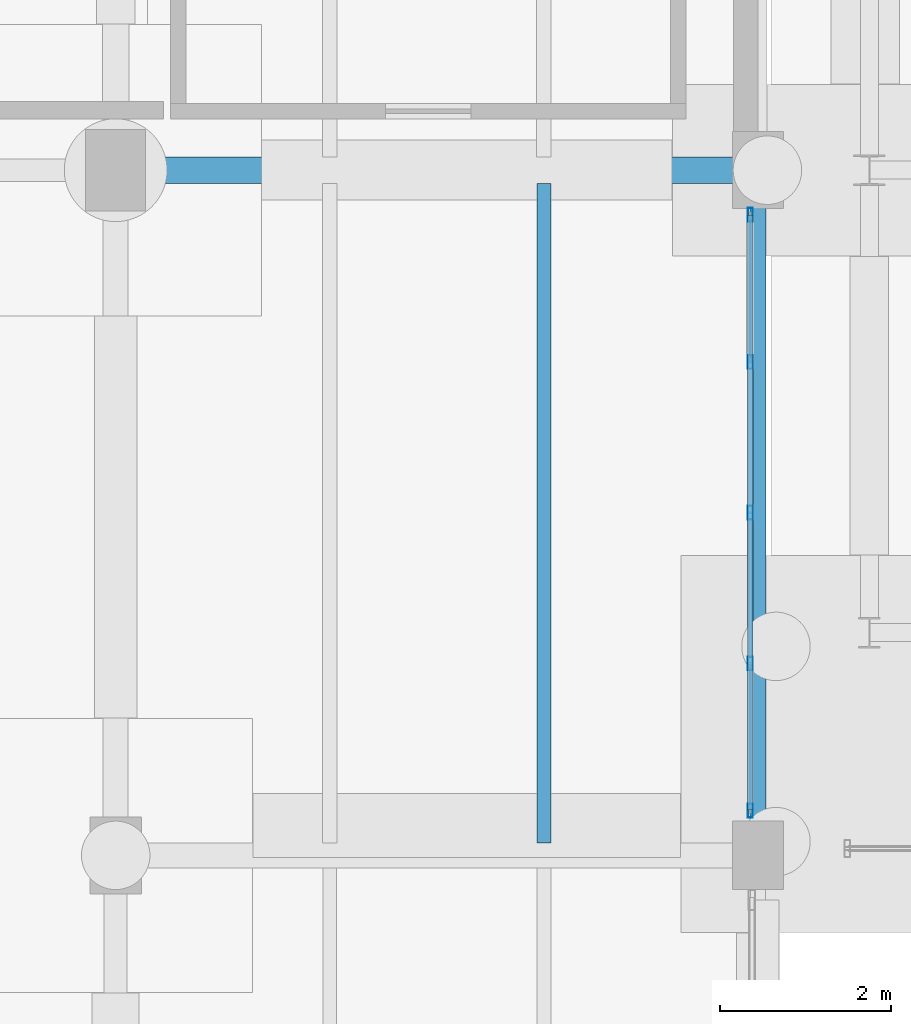
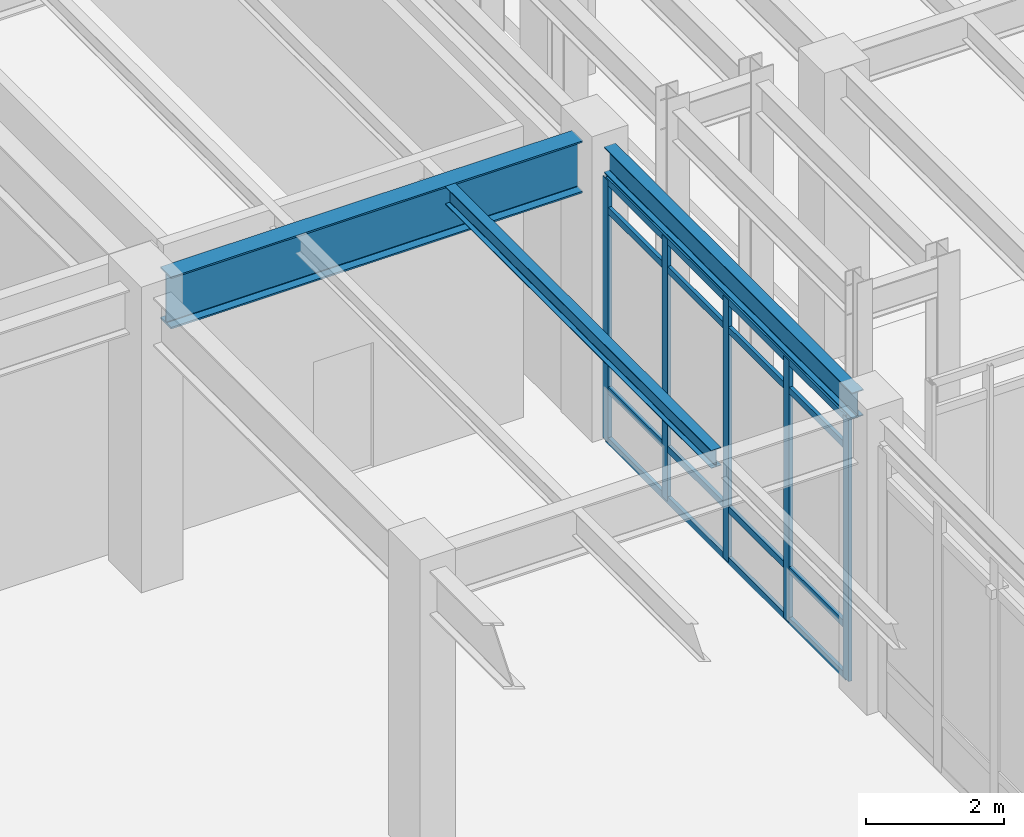
# One storey, part 40 of 203: 9 members, 3 beams, 1 element without a shape of its own.
"""IFC4 building model written with IfcOpenShell, lengths in metres."""

from ifc_helpers import new_model, si_unit, direction, frame, origin, origin_2d, place, context, subcontext, project, spatial, hollow_rectangle, i_section, extrude, material, material_profile, profile_set, type_object, element, aggregate, save


model = new_model("IFC4")

# Units and contexts
model_context = context("Model", 3, precision=1e-05, world=origin(), true_north=direction((0.0, 1.0)))
body_context = subcontext(model_context, "Body", "Model", "MODEL_VIEW")
ifc_project = project(units=[si_unit("LENGTHUNIT", "METRE"), si_unit("AREAUNIT", "SQUARE_METRE"), si_unit("VOLUMEUNIT", "CUBIC_METRE"), si_unit("PLANEANGLEUNIT", "RADIAN"), si_unit("MASSUNIT", "GRAM", prefix="KILO"), si_unit("THERMODYNAMICTEMPERATUREUNIT", "KELVIN"), si_unit("POWERUNIT", "WATT")], contexts=[model_context])

# Site, building, storey
site_placement = place(None, origin())
site = spatial("IfcSite", under=ifc_project, at=site_placement, CompositionType="ELEMENT")
building_placement = place(site_placement, origin())
building = spatial("IfcBuilding", under=site, at=building_placement, Name="Tepalcoro Natatorium and Aquatics Centre", CompositionType="ELEMENT")
storey_placement = place(building_placement, origin())
storey = spatial("IfcBuildingStorey", under=building, at=storey_placement, Name="L00", CompositionType="ELEMENT", Elevation=0.0)

# Beam
ifc_material_1 = material(Name="Steel ASTM A992 Grade 50 (Fy 345 MPa)", Category="steel")
ifc_material_profile_1 = material_profile(ifc_material_1, i_section(OverallWidth=0.304931640625, OverallDepth=0.9189453125, WebThickness=0.01708984375, FlangeThickness=0.028076171875, FilletRadius=0.013916015625, at=origin_2d()), Name="W36X170")
ifc_profile_set_1 = profile_set([ifc_material_profile_1], Name="Steel ASTM A992 Grade 50 (Fy 345 MPa)")
beam_type_1 = type_object("IfcBeamType", Name="BM_W36x170", PredefinedType="BEAM", material=ifc_profile_set_1)
beam_1_placement = place(storey_placement, frame((28.8349609375, 36.0, 4.685546875), z_axis=(1.0, 0.0, 0.0), x_axis=(0.0, 1.0, 0.0)))
element("IfcBeam", 1, at=beam_1_placement, inside=storey, type_object=beam_type_1, Name="V3 L00 Grid Girder X", PredefinedType="BEAM", context=body_context, shape_type="SweptSolid", body=[
    extrude(i_section(OverallWidth=0.304931640625, OverallDepth=0.9189453125, WebThickness=0.01708984375, FlangeThickness=0.028076171875, FilletRadius=0.013916015625, at=origin_2d()), origin(), (0.0, 0.0, 1.0), 6.880126953125),
])

# Curtain wall, members
ifc_material_2 = material(Name="Bronze-Anodised Extruded Aluminium Alloy EN AW-6063 T6", Category="aluminium")
curtain_wall_type = type_object("IfcCurtainWallType", Name="CW_V1_PLINTH", PredefinedType="USERDEFINED", material=ifc_material_2)
curtain_wall_placement = place(storey_placement, origin())
curtain_wall = element("IfcCurtainWall", 2, at=curtain_wall_placement, inside=storey, type_object=curtain_wall_type, Name="V3 L00 E Unitised Curtain Wall Bay 4", ObjectType="UNITISED STOREFRONT", PredefinedType="USERDEFINED")
ifc_material_profile_2 = material_profile(ifc_material_2, hollow_rectangle(XDim=0.06005859375, YDim=0.159912109375, WallThickness=0.00390625, at=origin_2d()), Name="AL60X160X4")
ifc_profile_set_2 = profile_set([ifc_material_profile_2], Name="Bronze-Anodised Extruded Aluminium Alloy EN AW-6063 T6")
member_type_1 = type_object("IfcMemberType", Name="CW_MUL_60x160", PredefinedType="MULLION", material=ifc_profile_set_2)
member_1_placement = place(storey_placement, frame((35.909912109375, 28.52001953125, 0.02001953125), z_axis=(0.0, 0.0, 1.0), x_axis=(1.0, 0.0, 0.0)))
member_1 = element("IfcMember", 3, at=member_1_placement, type_object=member_type_1, Name="CW_V1_PLINTH Curtain Wall Mullion", PredefinedType="MULLION", context=body_context, shape_type="SweptSolid", body=[
    extrude(hollow_rectangle(XDim=0.06005859375, YDim=0.159912109375, WallThickness=0.00390625, at=origin_2d()), origin(), (0.0, 0.0, 1.0), 4.6298828125),
])
member_2_placement = place(storey_placement, frame((35.909912109375, 30.239990234375, 0.02001953125), z_axis=(0.0, 0.0, 1.0), x_axis=(1.0, 0.0, 0.0)))
member_2 = element("IfcMember", 4, at=member_2_placement, type_object=member_type_1, Name="CW_V1_PLINTH Curtain Wall Mullion", PredefinedType="MULLION", context=body_context, shape_type="SweptSolid", body=[
    extrude(hollow_rectangle(XDim=0.06005859375, YDim=0.159912109375, WallThickness=0.00390625, at=origin_2d()), origin(), (0.0, 0.0, 1.0), 4.6298828125),
])
member_3_placement = place(storey_placement, frame((35.909912109375, 32.0, 0.02001953125), z_axis=(0.0, 0.0, 1.0), x_axis=(1.0, 0.0, 0.0)))
member_3 = element("IfcMember", 5, at=member_3_placement, type_object=member_type_1, Name="CW_V1_PLINTH Curtain Wall Mullion", PredefinedType="MULLION", context=body_context, shape_type="SweptSolid", body=[
    extrude(hollow_rectangle(XDim=0.06005859375, YDim=0.159912109375, WallThickness=0.00390625, at=origin_2d()), origin(), (0.0, 0.0, 1.0), 4.6298828125),
])
member_4_placement = place(storey_placement, frame((35.909912109375, 33.760009765625, 0.02001953125), z_axis=(0.0, 0.0, 1.0), x_axis=(1.0, 0.0, 0.0)))
member_4 = element("IfcMember", 6, at=member_4_placement, type_object=member_type_1, Name="CW_V1_PLINTH Curtain Wall Mullion", PredefinedType="MULLION", context=body_context, shape_type="SweptSolid", body=[
    extrude(hollow_rectangle(XDim=0.06005859375, YDim=0.159912109375, WallThickness=0.00390625, at=origin_2d()), origin(), (0.0, 0.0, 1.0), 4.6298828125),
])
member_5_placement = place(storey_placement, frame((35.909912109375, 35.47998046875, 0.02001953125), z_axis=(0.0, 0.0, 1.0), x_axis=(1.0, 0.0, 0.0)))
member_5 = element("IfcMember", 7, at=member_5_placement, type_object=member_type_1, Name="CW_V1_PLINTH Curtain Wall Mullion", PredefinedType="MULLION", context=body_context, shape_type="SweptSolid", body=[
    extrude(hollow_rectangle(XDim=0.06005859375, YDim=0.159912109375, WallThickness=0.00390625, at=origin_2d()), origin(), (0.0, 0.0, 1.0), 4.6298828125),
])
ifc_material_profile_3 = material_profile(ifc_material_2, hollow_rectangle(XDim=0.06005859375, YDim=0.1201171875, WallThickness=0.00390625, at=origin_2d()), Name="AL60X120X4")
ifc_profile_set_3 = profile_set([ifc_material_profile_3], Name="Bronze-Anodised Extruded Aluminium Alloy EN AW-6063 T6")
member_type_2 = type_object("IfcMemberType", Name="CW_TRN_60x120", PredefinedType="USERDEFINED", material=ifc_profile_set_3)
member_6_placement = place(storey_placement, frame((35.909912109375, 28.530029296875, 0.050048828125), z_axis=(0.0, 1.0, 0.0), x_axis=(-1.0, 0.0, 0.0)))
member_6 = element("IfcMember", 8, at=member_6_placement, type_object=member_type_2, Name="CW_V1_PLINTH Curtain Wall Transom", ObjectType="TRANSOM", PredefinedType="USERDEFINED", context=body_context, shape_type="SweptSolid", body=[
    extrude(hollow_rectangle(XDim=0.06005859375, YDim=0.1201171875, WallThickness=0.00390625, at=origin_2d()), origin(), (0.0, 0.0, 1.0), 6.93994140625),
])
member_7_placement = place(storey_placement, frame((35.909912109375, 28.530029296875, 0.949951171875), z_axis=(0.0, 1.0, 0.0), x_axis=(-1.0, 0.0, 0.0)))
member_7 = element("IfcMember", 9, at=member_7_placement, type_object=member_type_2, Name="CW_V1_PLINTH Curtain Wall Transom", ObjectType="TRANSOM", PredefinedType="USERDEFINED", context=body_context, shape_type="SweptSolid", body=[
    extrude(hollow_rectangle(XDim=0.06005859375, YDim=0.1201171875, WallThickness=0.00390625, at=origin_2d()), origin(), (0.0, 0.0, 1.0), 6.93994140625),
])
member_8_placement = place(storey_placement, frame((35.909912109375, 28.530029296875, 4.1201171875), z_axis=(0.0, 1.0, 0.0), x_axis=(-1.0, 0.0, 0.0)))
member_8 = element("IfcMember", 10, at=member_8_placement, type_object=member_type_2, Name="CW_V1_PLINTH Curtain Wall Transom", ObjectType="TRANSOM", PredefinedType="USERDEFINED", context=body_context, shape_type="SweptSolid", body=[
    extrude(hollow_rectangle(XDim=0.06005859375, YDim=0.1201171875, WallThickness=0.00390625, at=origin_2d()), origin(), (0.0, 0.0, 1.0), 6.93994140625),
])
member_9_placement = place(storey_placement, frame((35.909912109375, 28.530029296875, 4.6201171875), z_axis=(0.0, 1.0, 0.0), x_axis=(-1.0, 0.0, 0.0)))
member_9 = element("IfcMember", 11, at=member_9_placement, type_object=member_type_2, Name="CW_V1_PLINTH Curtain Wall Transom", ObjectType="TRANSOM", PredefinedType="USERDEFINED", context=body_context, shape_type="SweptSolid", body=[
    extrude(hollow_rectangle(XDim=0.06005859375, YDim=0.1201171875, WallThickness=0.00390625, at=origin_2d()), origin(), (0.0, 0.0, 1.0), 6.93994140625),
])
aggregate(curtain_wall, [member_1, member_2, member_3, member_4, member_5, member_6, member_7, member_8, member_9])

# Beams
ifc_material_profile_4 = material_profile(ifc_material_1, i_section(OverallWidth=0.1669921875, OverallDepth=0.318115234375, WebThickness=0.008056640625, FlangeThickness=0.012939453125, FilletRadius=0.013916015625, at=origin_2d()), Name="W12X35")
ifc_profile_set_4 = profile_set([ifc_material_profile_4], Name="Steel ASTM A992 Grade 50 (Fy 345 MPa)")
beam_type_2 = type_object("IfcBeamType", Name="JS_W12x35", PredefinedType="JOIST", material=ifc_profile_set_4)
beam_2_placement = place(storey_placement, frame((33.5, 28.14599609375, 4.986083984375), z_axis=(0.0, 1.0, 0.0), x_axis=(-1.0, 0.0, 0.0)))
element("IfcBeam", 12, at=beam_2_placement, inside=storey, type_object=beam_type_2, Name="V3 L00 Floor Joist", PredefinedType="JOIST", context=body_context, shape_type="SweptSolid", body=[
    extrude(i_section(OverallWidth=0.1669921875, OverallDepth=0.318115234375, WebThickness=0.008056640625, FlangeThickness=0.012939453125, FilletRadius=0.013916015625, at=origin_2d()), origin(), (0.0, 0.0, 1.0), 7.701416015625),
])
ifc_material_profile_5 = material_profile(ifc_material_1, i_section(OverallWidth=0.19091796875, OverallDepth=0.4599609375, WebThickness=0.010009765625, FlangeThickness=0.01611328125, FilletRadius=0.013916015625, at=origin_2d()), Name="W18X55")
ifc_profile_set_5 = profile_set([ifc_material_profile_5], Name="Steel ASTM A992 Grade 50 (Fy 345 MPa)")
beam_type_3 = type_object("IfcBeamType", Name="SP_W18x55", PredefinedType="SPANDREL", material=ifc_profile_set_5)
beam_3_placement = place(storey_placement, frame((36.0, 28.385009765625, 4.9150390625), z_axis=(0.0, 1.0, 0.0), x_axis=(-1.0, 0.0, 0.0)))
element("IfcBeam", 13, at=beam_3_placement, inside=storey, type_object=beam_type_3, Name="V3 L00 Grid Girder Y", PredefinedType="SPANDREL", context=body_context, shape_type="SweptSolid", body=[
    extrude(i_section(OverallWidth=0.19091796875, OverallDepth=0.4599609375, WebThickness=0.010009765625, FlangeThickness=0.01611328125, FilletRadius=0.013916015625, at=origin_2d()), origin(), (0.0, 0.0, 1.0), 7.179931640625),
])

save(model, "model.ifc")
